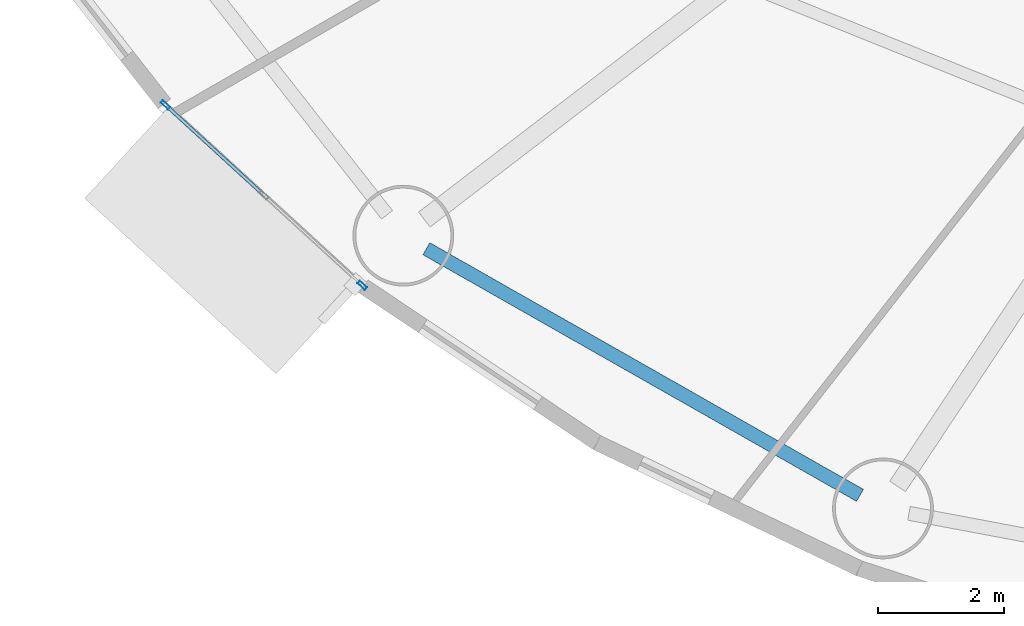
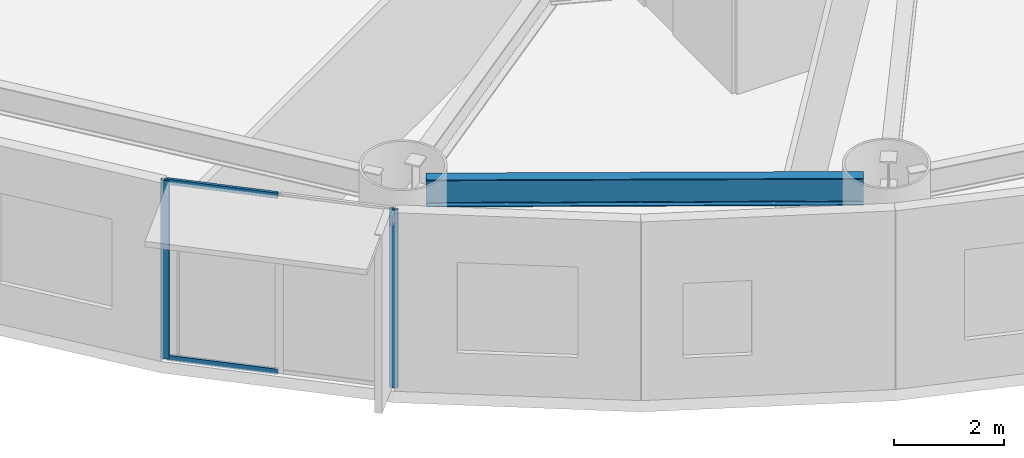
# One storey, part 4 of 28: 4 members, 1 beam, 1 element without a shape of its own.
"""IFC4 building model written with IfcOpenShell, lengths in metres."""

from ifc_helpers import new_model, si_unit, direction, frame, origin, origin_2d, place, context, subcontext, project, spatial, hollow_rectangle, i_section, extrude, source, transform, mapped, material, layer, layer_set, material_profile, profile_set, type_object, element, aggregate, save


model = new_model("IFC4")

# Units and contexts
model_context = context("Model", 3, precision=1e-05, world=origin(), true_north=direction((0.0, 1.0)))
body_context = subcontext(model_context, "Body", "Model", "MODEL_VIEW")
ifc_project = project(units=[si_unit("LENGTHUNIT", "METRE"), si_unit("AREAUNIT", "SQUARE_METRE"), si_unit("VOLUMEUNIT", "CUBIC_METRE"), si_unit("PLANEANGLEUNIT", "RADIAN"), si_unit("MASSUNIT", "GRAM", prefix="KILO")], contexts=[model_context])

# Site, building, storey
site_placement = place(None, origin())
site = spatial("IfcSite", under=ifc_project, at=site_placement, CompositionType="ELEMENT")
building_placement = place(site_placement, origin())
building = spatial("IfcBuilding", under=site, at=building_placement, Name="Linh Dai School and Residence Tower", CompositionType="ELEMENT")
storey_placement = place(building_placement, frame((0.0, 0.0, 57.60009765625)))
storey = spatial("IfcBuildingStorey", under=building, at=storey_placement, Name="L13", CompositionType="ELEMENT", Elevation=57.60009765625)

# Beam
ifc_material_1 = material(Name="Structural Steel S355JR", Category="steel")
ifc_material_profile_1 = material_profile(ifc_material_1, i_section(OverallWidth=0.219970703125, OverallDepth=0.60009765625, WebThickness=0.011962890625, FlangeThickness=0.01904296875, FilletRadius=0.02392578125, at=origin_2d()), Name="IPE 600")
ifc_profile_set_1 = profile_set([ifc_material_profile_1], Name="Structural Steel S355JR")
beam_type = type_object("IfcBeamType", Name="BM-RB60", PredefinedType="BEAM", material=ifc_profile_set_1)
beam_placement = place(storey_placement, frame((15.012451171875, 10.42333984375, 3.64990234375), z_axis=(0.869271416992, -0.494335112653, 0.0), x_axis=(0.494335112653, 0.869271416992, 0.0)))
element("IfcBeam", 1, at=beam_placement, inside=storey, type_object=beam_type, Name="L13 Perimeter Elliptical Ring Beam 11", PredefinedType="BEAM", context=body_context, shape_type="SweptSolid", body=[
    extrude(i_section(OverallWidth=0.219970703125, OverallDepth=0.60009765625, WebThickness=0.011962890625, FlangeThickness=0.01904296875, FilletRadius=0.02392578125, at=origin_2d()), origin(), (0.0, 0.0, 1.0), 7.91943359375),
])

# Curtain wall, members
ifc_material_2 = material(Name="Aluminium Anodised Curtain Wall", Category="aluminium")
ifc_layer = layer(ifc_material_2, 0.159912109375)
ifc_layer_set = layer_set([ifc_layer], Name="Aluminium Anodised Curtain Wall")
curtain_wall_type = type_object("IfcCurtainWallType", Name="CW-SYS-3", PredefinedType="USERDEFINED", material=ifc_layer_set)
curtain_wall_placement = place(storey_placement, origin())
curtain_wall = element("IfcCurtainWall", 2, at=curtain_wall_placement, inside=storey, type_object=curtain_wall_type, Name="L13 CW3 Curtain Wall 25", ObjectType="RIBBON CURTAIN WALL", PredefinedType="USERDEFINED")
ifc_material_3 = material(Name="Aluminium Alloy 6063-T6", Category="aluminium")
ifc_material_profile_2 = material_profile(ifc_material_3, hollow_rectangle(XDim=0.054931640625, YDim=0.1201171875, WallThickness=0.00390625, at=origin_2d()), Name="RHS 120x55x4")
ifc_profile_set_2 = profile_set([ifc_material_profile_2], Name="Aluminium Alloy 6063-T6")
member_type_1 = type_object("IfcMemberType", Name="CW-SYS-3-TRN", PredefinedType="USERDEFINED", material=ifc_profile_set_2)
shared_shape_1 = source(origin(), body_context, "Body", "SweptSolid", [
    extrude(hollow_rectangle(XDim=0.054931640625, YDim=0.1201171875, WallThickness=0.00390625, at=origin_2d()), origin(), (0.0, 0.0, 1.0), 2.064453125),
])
member_1_placement = place(storey_placement, frame((12.41259765625, 11.293212890625, 0.02734375), z_axis=(-0.737129594686, 0.675751404466, 0.0), x_axis=(-0.675751404466, -0.737129594686, 0.0)))
member_1 = element("IfcMember", 3, at=member_1_placement, type_object=member_type_1, Name="CW3 transom 2.1", ObjectType="TRANSOM", PredefinedType="USERDEFINED", context=body_context, shape_type="MappedRepresentation", body=[
    mapped(shared_shape_1, transform((0.0, 0.0, 0.0), x_axis=(1.0, 0.0, 0.0), y_axis=(0.0, 1.0, 0.0), z_axis=(0.0, 0.0, 1.0), scale=1.0)),
])
member_2_placement = place(storey_placement, frame((12.41259765625, 11.293212890625, 3.92236328125), z_axis=(-0.737129594686, 0.675751404466, 0.0), x_axis=(-0.675751404466, -0.737129594686, 0.0)))
member_2 = element("IfcMember", 4, at=member_2_placement, type_object=member_type_1, Name="CW3 transom 2.2", ObjectType="TRANSOM", PredefinedType="USERDEFINED", context=body_context, shape_type="MappedRepresentation", body=[
    mapped(shared_shape_1, transform((0.0, 0.0, 0.0), x_axis=(1.0, 0.0, 0.0), y_axis=(0.0, 1.0, 0.0), z_axis=(0.0, 0.0, 1.0), scale=1.0)),
])
ifc_material_profile_3 = material_profile(ifc_material_3, hollow_rectangle(XDim=0.054931640625, YDim=0.159912109375, WallThickness=0.00390625, at=origin_2d()), Name="RHS 160x55x4")
ifc_profile_set_3 = profile_set([ifc_material_profile_3], Name="Aluminium Alloy 6063-T6")
member_type_2 = type_object("IfcMemberType", Name="CW-SYS-3-MUL", PredefinedType="MULLION", material=ifc_profile_set_3)
shared_shape_2 = source(origin(), body_context, "Body", "SweptSolid", [
    extrude(hollow_rectangle(XDim=0.054931640625, YDim=0.159912109375, WallThickness=0.00390625, at=origin_2d()), origin(), (0.0, 0.0, 1.0), 3.949951171875),
])
member_3_placement = place(storey_placement, frame((13.9951171875, 9.84228515625, 0.0), z_axis=(0.0, 0.0, 1.0), x_axis=(-0.675769237268, -0.737113246362, 0.0)))
member_3 = element("IfcMember", 5, at=member_3_placement, type_object=member_type_2, Name="CW3 mullion 1", PredefinedType="MULLION", context=body_context, shape_type="MappedRepresentation", body=[
    mapped(shared_shape_2, transform((0.0, 0.0, 0.0), x_axis=(1.0, 0.0, 0.0), y_axis=(0.0, 1.0, 0.0), z_axis=(0.0, 0.0, 1.0), scale=1.0)),
])
member_4_placement = place(storey_placement, frame((10.87060546875, 12.706787109375, 0.0), z_axis=(0.0, 0.0, 1.0), x_axis=(-0.675769237268, -0.737113246362, 0.0)))
member_4 = element("IfcMember", 6, at=member_4_placement, type_object=member_type_2, Name="CW3 mullion 3", PredefinedType="MULLION", context=body_context, shape_type="MappedRepresentation", body=[
    mapped(shared_shape_2, transform((0.0, 0.0, 0.0), x_axis=(1.0, 0.0, 0.0), y_axis=(0.0, 1.0, 0.0), z_axis=(0.0, 0.0, 1.0), scale=1.0)),
])
aggregate(curtain_wall, [member_3, member_4, member_1, member_2])

save(model, "model.ifc")
